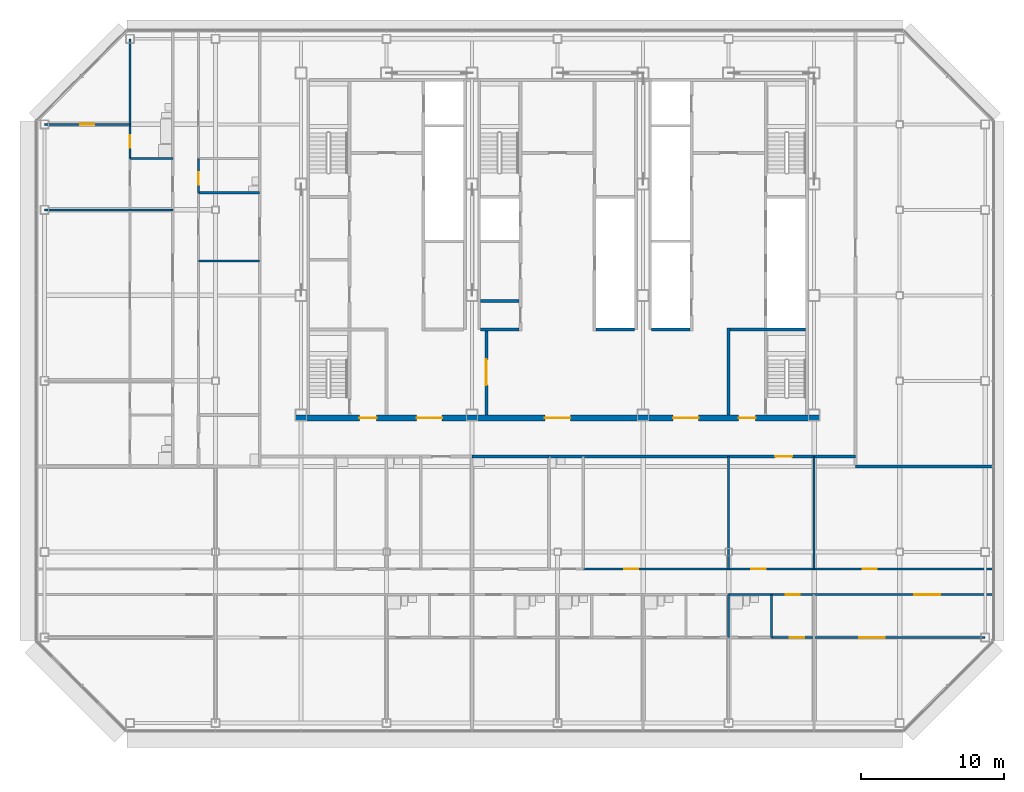
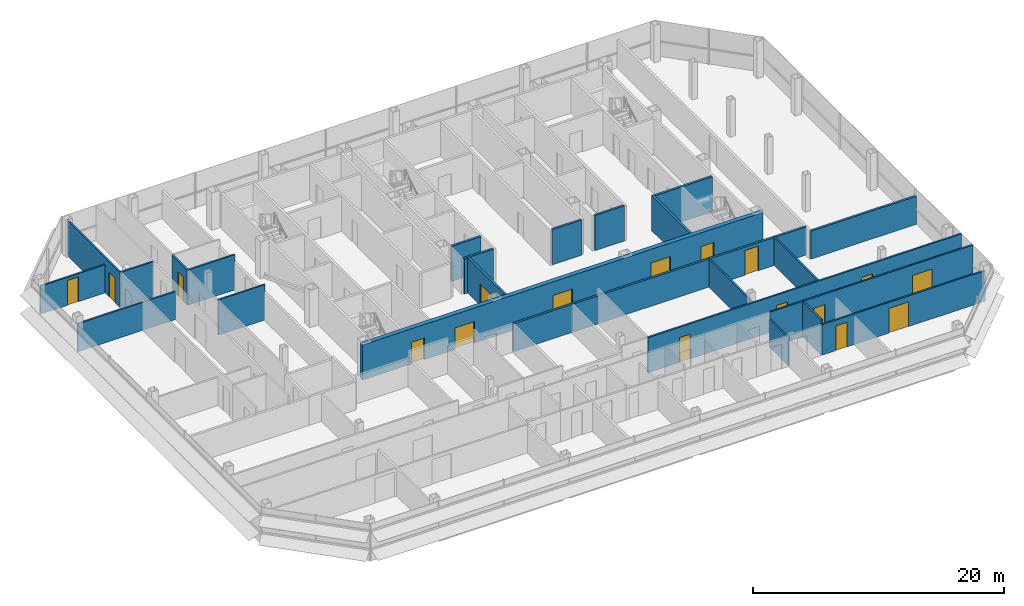
# One storey, part 23 of 28: 26 walls, 17 doors, 17 openings.
"""IFC4 building model written with IfcOpenShell, lengths in metres."""

from ifc_helpers import new_model, si_unit, direction, frame, frame_2d, origin, place, context, subcontext, project, spatial, rectangle, extrude, material, layer, layer_set, type_object, element, fill, save


model = new_model("IFC4")

# Units and contexts
model_context = context("Model", 3, precision=1e-05, world=origin(), true_north=direction((0.0, 1.0)))
body_context = subcontext(model_context, "Body", "Model", "MODEL_VIEW")
ifc_project = project(units=[si_unit("LENGTHUNIT", "METRE"), si_unit("AREAUNIT", "SQUARE_METRE"), si_unit("VOLUMEUNIT", "CUBIC_METRE"), si_unit("PLANEANGLEUNIT", "RADIAN"), si_unit("MASSUNIT", "GRAM", prefix="KILO")], contexts=[model_context])

# Site, building, storey
site_placement = place(None, origin())
site = spatial("IfcSite", under=ifc_project, at=site_placement, CompositionType="ELEMENT")
building_placement = place(site_placement, origin())
building = spatial("IfcBuilding", under=site, at=building_placement, Name="Sorahane Residences", CompositionType="ELEMENT")
storey_placement = place(building_placement, frame((0.0, 0.0, 250.39990234375)))
storey = spatial("IfcBuildingStorey", under=building, at=storey_placement, Name="L59", CompositionType="ELEMENT", Elevation=250.39990234375)

# Wall
ifc_material_1 = material(Name="Concrete blockwork C20 wall", Category="masonry")
ifc_layer_1 = layer(ifc_material_1, 0.199951171875)
ifc_layer_set_1 = layer_set([ifc_layer_1], Name="Corridor wall 200 EI 120")
wall_type_1 = type_object("IfcWallType", Name="Corridor wall 200 EI 120", PredefinedType="SOLIDWALL", material=ifc_layer_set_1)
wall_1_placement = place(storey_placement, frame((44.89990234375, 18.0, 0.0), z_axis=(0.0, 0.0, 1.0), x_axis=(1.0, 0.0, 0.0)))
element("IfcWall", 1, at=wall_1_placement, inside=storey, type_object=wall_type_1, Name="L59 corridor wall", PredefinedType="SOLIDWALL", context=body_context, shape_type="SweptSolid", body=[
    extrude(rectangle(XDim=9.7001953125, YDim=0.199951171875, at=frame_2d((4.85009765625, 0.0))), origin(), (0.0, 0.0, 1.0), 2.72021484375),
])

# Wall, opening, door
wall_2_placement = place(storey_placement, frame((23.39990234375, 18.699951171875, 0.0), z_axis=(0.0, 0.0, 1.0), x_axis=(1.0, 0.0, 0.0)))
wall_2 = element("IfcWall", 2, at=wall_2_placement, inside=storey, type_object=wall_type_1, Name="L59 corridor wall", PredefinedType="SOLIDWALL", context=body_context, shape_type="SweptSolid", body=[
    extrude(rectangle(XDim=21.5, YDim=0.199951171875, at=frame_2d((10.75, 0.0))), origin(), (0.0, 0.0, 1.0), 2.72021484375),
])
opening_1_placement = place(wall_2_placement, frame((15.860107421875, 0.0, 0.0)))
opening_1 = element("IfcOpeningElement", 3, at=opening_1_placement, cuts=wall_2, Name="Opening L59-47", PredefinedType="OPENING", context=body_context, shape_type="SweptSolid", body=[
    extrude(rectangle(XDim=1.199951171875, YDim=2.39990234375, at=frame_2d((0.60009765625, 1.199951171875))), frame((0.0, 0.10986328125, 0.0), z_axis=(0.0, -1.0, 0.0), x_axis=(1.0, 0.0, 0.0)), (0.0, 0.0, 1.0), 0.219970703125),
])
ifc_material_2 = material(Name="Timber veneered fire door", Category="wood")
door_type_1 = type_object("IfcDoorType", Name="Flat entrance door 1200x2400 FD60", OperationType="NOTDEFINED", PredefinedType="DOOR", material=ifc_material_2)
door_1_placement = place(opening_1_placement, frame((1.199951171875, 0.0, 0.0), z_axis=(0.0, 0.0, 1.0), x_axis=(-1.0, 0.0, 0.0)))
door_1 = element("IfcDoor", 4, at=door_1_placement, inside=storey, type_object=door_type_1, Name="Flat entrance door L59-47", OperationType="SINGLE_SWING_RIGHT", OverallHeight=2.39990234375, OverallWidth=1.199951171875, PredefinedType="DOOR", context=body_context, shape_type="SweptSolid", body=[
    extrude(rectangle(XDim=1.199951171875, YDim=2.39990234375, at=frame_2d((0.60009765625, 1.199951171875))), frame((0.0, 0.02490234375, 0.0), z_axis=(0.0, -1.0, 0.0), x_axis=(1.0, 0.0, 0.0)), (0.0, 0.0, 1.0), 0.050048828125),
])
fill(opening_1, door_1)

# Walls
ifc_material_3 = material(Name="Concrete C30", Category="concrete")
ifc_layer_2 = layer(ifc_material_3, 0.199951171875)
ifc_layer_set_2 = layer_set([ifc_layer_2], Name="Front room wall 200 EI 120")
wall_type_2 = type_object("IfcWallType", Name="Front room wall 200 EI 120", PredefinedType="PARTITIONING", material=ifc_layer_set_2)
wall_3_placement = place(storey_placement, frame((36.0, 21.60009765625, 0.0), z_axis=(0.0, 0.0, 1.0), x_axis=(0.0, 1.0, 0.0)))
element("IfcWall", 5, at=wall_3_placement, inside=storey, type_object=wall_type_2, Name="L59 front room wall", PredefinedType="PARTITIONING", context=body_context, shape_type="SweptSolid", body=[
    extrude(rectangle(XDim=6.099853515625, YDim=0.199951171875, at=frame_2d((3.0498046875, 0.0))), origin(), (0.0, 0.0, 1.0), 3.420166015625),
])
ifc_material_4 = material(Name="Concrete blockwork C20 wall", Category="masonry")
ifc_layer_3 = layer(ifc_material_4, 0.199951171875)
ifc_layer_set_3 = layer_set([ifc_layer_3], Name="Kitchen wall 200 EI 180")
wall_type_3 = type_object("IfcWallType", Name="Kitchen wall 200 EI 180", PredefinedType="SOLIDWALL", material=ifc_layer_set_3)
wall_4_placement = place(storey_placement, frame((18.0, 18.699951171875, 0.0), z_axis=(0.0, 0.0, 1.0), x_axis=(1.0, 0.0, 0.0)))
element("IfcWall", 6, at=wall_4_placement, inside=storey, type_object=wall_type_3, Name="L59 kitchen wall", PredefinedType="SOLIDWALL", context=body_context, shape_type="SweptSolid", body=[
    extrude(rectangle(XDim=5.39990234375, YDim=0.199951171875, at=frame_2d((2.699951171875, 0.0))), origin(), (0.0, 0.0, 1.0), 2.72021484375),
])
ifc_material_5 = material(Name="Concrete C30", Category="concrete")
ifc_layer_4 = layer(ifc_material_5, 0.199951171875)
ifc_layer_set_4 = layer_set([ifc_layer_4], Name="Lift shaft wall 200 EI 120")
wall_type_4 = type_object("IfcWallType", Name="Lift shaft wall 200 EI 120", PredefinedType="SOLIDWALL", material=ifc_layer_set_4)
wall_5_placement = place(storey_placement, frame((30.60009765625, 27.60009765625, 0.0), z_axis=(0.0, 0.0, 1.0), x_axis=(1.0, 0.0, 0.0)))
element("IfcWall", 7, at=wall_5_placement, inside=storey, type_object=wall_type_4, Name="L59 lift shaft wall", PredefinedType="SOLIDWALL", context=body_context, shape_type="SweptSolid", body=[
    extrude(rectangle(XDim=2.699951171875, YDim=0.199951171875, at=frame_2d((1.35009765625, 0.0))), origin(), (0.0, 0.0, 1.0), 3.420166015625),
])
ifc_material_6 = material(Name="Gypsum board partition on steel studs", Category="steel")
ifc_layer_5 = layer(ifc_material_6, 0.14990234375)
ifc_layer_set_5 = layer_set([ifc_layer_5], Name="Partition 150 EI 90")
wall_type_5 = type_object("IfcWallType", Name="Partition 150 EI 90", PredefinedType="PARTITIONING", material=ifc_layer_set_5)
for number, where, z_axis, x_axis, name in (
    (8, (36.0, 10.800048828125, 0.0), (0.0, 0.0, 1.0), (0.0, 1.0, 0.0), "L59 partition"),
    (9, (42.0, 10.800048828125, 0.0), (0.0, 0.0, 1.0), (0.0, 1.0, 0.0), "L59 partition"),
):
    element("IfcWall", number, at=place(storey_placement, frame(where, z_axis=z_axis, x_axis=x_axis)), inside=storey, type_object=wall_type_5, Name=name, PredefinedType="PARTITIONING", context=body_context, shape_type="SweptSolid", body=[
        extrude(rectangle(XDim=7.89990234375, YDim=0.14990234375, at=frame_2d((3.949951171875, 0.0))), origin(), (0.0, 0.0, 1.0), 2.72021484375),
    ])

# Wall, openings, doors
wall_6_placement = place(storey_placement, frame((25.800048828125, 10.800048828125, 0.0), z_axis=(0.0, 0.0, 1.0), x_axis=(1.0, 0.0, 0.0)))
wall_6 = element("IfcWall", 10, at=wall_6_placement, inside=storey, type_object=wall_type_5, Name="L59 partition", PredefinedType="PARTITIONING", context=body_context, shape_type="SweptSolid", body=[
    extrude(rectangle(XDim=28.800048828125, YDim=0.14990234375, at=frame_2d((14.39990234375, 0.0))), origin(), (0.0, 0.0, 1.0), 3.420166015625),
])
opening_2_placement = place(wall_6_placement, frame((11.800048828125, 0.0, 0.0)))
opening_2 = element("IfcOpeningElement", 11, at=opening_2_placement, cuts=wall_6, Name="Opening L59-13", PredefinedType="OPENING", context=body_context, shape_type="SweptSolid", body=[
    extrude(rectangle(XDim=1.0, YDim=2.39990234375, at=frame_2d((0.5, 1.199951171875))), frame((0.0, 0.0849609375, 0.0), z_axis=(0.0, -1.0, 0.0), x_axis=(1.0, 0.0, 0.0)), (0.0, 0.0, 1.0), 0.169921875),
])
opening_3_placement = place(wall_6_placement, frame((2.860107421875, 0.0, 0.0)))
opening_3 = element("IfcOpeningElement", 12, at=opening_3_placement, cuts=wall_6, Name="Opening L59-16", PredefinedType="OPENING", context=body_context, shape_type="SweptSolid", body=[
    extrude(rectangle(XDim=1.0, YDim=2.39990234375, at=frame_2d((0.5, 1.199951171875))), frame((0.0, 0.0849609375, 0.0), z_axis=(0.0, -1.0, 0.0), x_axis=(1.0, 0.0, 0.0)), (0.0, 0.0, 1.0), 0.169921875),
])
opening_4_placement = place(wall_6_placement, frame((19.60009765625, 0.0, 0.0)))
opening_4 = element("IfcOpeningElement", 13, at=opening_4_placement, cuts=wall_6, Name="Opening L59-17", PredefinedType="OPENING", context=body_context, shape_type="SweptSolid", body=[
    extrude(rectangle(XDim=1.0, YDim=2.39990234375, at=frame_2d((0.5, 1.199951171875))), frame((0.0, 0.0849609375, 0.0), z_axis=(0.0, -1.0, 0.0), x_axis=(1.0, 0.0, 0.0)), (0.0, 0.0, 1.0), 0.169921875),
])
ifc_material_7 = material(Name="Timber veneered fire door", Category="wood")
door_type_2 = type_object("IfcDoorType", Name="Room door 1000x2400 FD30", OperationType="NOTDEFINED", PredefinedType="DOOR", material=ifc_material_7)
door_2_placement = place(opening_2_placement, frame((1.0, 0.0, 0.0), z_axis=(0.0, 0.0, 1.0), x_axis=(-1.0, 0.0, 0.0)))
door_2 = element("IfcDoor", 14, at=door_2_placement, inside=storey, type_object=door_type_2, Name="Room door L59-13", OperationType="SINGLE_SWING_LEFT", OverallHeight=2.39990234375, OverallWidth=1.0, PredefinedType="DOOR", context=body_context, shape_type="SweptSolid", body=[
    extrude(rectangle(XDim=1.0, YDim=2.39990234375, at=frame_2d((0.5, 1.199951171875))), frame((0.0, 0.02490234375, 0.0), z_axis=(0.0, -1.0, 0.0), x_axis=(1.0, 0.0, 0.0)), (0.0, 0.0, 1.0), 0.050048828125),
])
fill(opening_2, door_2)
door_3_placement = place(opening_3_placement, origin())
door_3 = element("IfcDoor", 15, at=door_3_placement, inside=storey, type_object=door_type_2, Name="Room door L59-16", OperationType="SINGLE_SWING_LEFT", OverallHeight=2.39990234375, OverallWidth=1.0, PredefinedType="DOOR", context=body_context, shape_type="SweptSolid", body=[
    extrude(rectangle(XDim=1.0, YDim=2.39990234375, at=frame_2d((0.5, 1.199951171875))), frame((0.0, 0.02490234375, 0.0), z_axis=(0.0, -1.0, 0.0), x_axis=(1.0, 0.0, 0.0)), (0.0, 0.0, 1.0), 0.050048828125),
])
fill(opening_3, door_3)
door_4_placement = place(opening_4_placement, origin())
door_4 = element("IfcDoor", 16, at=door_4_placement, inside=storey, type_object=door_type_2, Name="Room door L59-17", OperationType="SINGLE_SWING_LEFT", OverallHeight=2.39990234375, OverallWidth=1.0, PredefinedType="DOOR", context=body_context, shape_type="SweptSolid", body=[
    extrude(rectangle(XDim=1.0, YDim=2.39990234375, at=frame_2d((0.5, 1.199951171875))), frame((0.0, 0.02490234375, 0.0), z_axis=(0.0, -1.0, 0.0), x_axis=(1.0, 0.0, 0.0)), (0.0, 0.0, 1.0), 0.050048828125),
])
fill(opening_4, door_4)

# Walls
wall_7_placement = place(storey_placement, frame((-1.199951171875, 32.39990234375, 0.0), z_axis=(0.0, 0.0, 1.0), x_axis=(1.0, 0.0, 0.0)))
element("IfcWall", 17, at=wall_7_placement, inside=storey, type_object=wall_type_5, Name="L59 partition", PredefinedType="PARTITIONING", context=body_context, shape_type="SweptSolid", body=[
    extrude(rectangle(XDim=4.300048828125, YDim=0.14990234375, at=frame_2d((2.14990234375, 0.0))), origin(), (0.0, 0.0, 1.0), 3.420166015625),
])
wall_8_placement = place(storey_placement, frame((-12.0, 36.0, 0.0), z_axis=(0.0, 0.0, 1.0), x_axis=(1.0, 0.0, 0.0)))
element("IfcWall", 18, at=wall_8_placement, inside=storey, type_object=wall_type_5, Name="L59 partition", PredefinedType="PARTITIONING", context=body_context, shape_type="SweptSolid", body=[
    extrude(rectangle(XDim=9.0, YDim=0.14990234375, at=frame_2d((4.5, 0.0))), origin(), (0.0, 0.0, 1.0), 2.72021484375),
])

# Wall, opening, door
wall_9_placement = place(storey_placement, frame((-12.0, 42.0, 0.0), z_axis=(0.0, 0.0, 1.0), x_axis=(1.0, 0.0, 0.0)))
wall_9 = element("IfcWall", 19, at=wall_9_placement, inside=storey, type_object=wall_type_5, Name="L59 partition", PredefinedType="PARTITIONING", context=body_context, shape_type="SweptSolid", body=[
    extrude(rectangle(XDim=6.0, YDim=0.14990234375, at=frame_2d((3.0, 0.0))), origin(), (0.0, 0.0, 1.0), 2.72021484375),
])
opening_5_placement = place(wall_9_placement, frame((2.5, 0.0, 0.0)))
opening_5 = element("IfcOpeningElement", 20, at=opening_5_placement, cuts=wall_9, Name="Opening L59-44", PredefinedType="OPENING", context=body_context, shape_type="SweptSolid", body=[
    extrude(rectangle(XDim=1.0, YDim=2.39990234375, at=frame_2d((0.5, 1.199951171875))), frame((0.0, 0.0849609375, 0.0), z_axis=(0.0, -1.0, 0.0), x_axis=(1.0, 0.0, 0.0)), (0.0, 0.0, 1.0), 0.169921875),
])
door_5_placement = place(opening_5_placement, origin())
door_5 = element("IfcDoor", 21, at=door_5_placement, inside=storey, type_object=door_type_2, Name="Room door L59-44", OperationType="SINGLE_SWING_LEFT", OverallHeight=2.39990234375, OverallWidth=1.0, PredefinedType="DOOR", context=body_context, shape_type="SweptSolid", body=[
    extrude(rectangle(XDim=1.0, YDim=2.39990234375, at=frame_2d((0.5, 1.199951171875))), frame((0.0, 0.02490234375, 0.0), z_axis=(0.0, -1.0, 0.0), x_axis=(1.0, 0.0, 0.0)), (0.0, 0.0, 1.0), 0.050048828125),
])
fill(opening_5, door_5)

# Wall, openings, doors
wall_10_placement = place(storey_placement, frame((39.0, 6.0, 0.0), z_axis=(0.0, 0.0, 1.0), x_axis=(1.0, 0.0, 0.0)))
wall_10 = element("IfcWall", 22, at=wall_10_placement, inside=storey, type_object=wall_type_5, Name="L59 partition", PredefinedType="PARTITIONING", context=body_context, shape_type="SweptSolid", body=[
    extrude(rectangle(XDim=15.0, YDim=0.14990234375, at=frame_2d((7.5, 0.0))), origin(), (0.0, 0.0, 1.0), 2.97021484375),
])
opening_6_placement = place(wall_10_placement, frame((1.300048828125, 0.0, 0.0)))
opening_6 = element("IfcOpeningElement", 23, at=opening_6_placement, cuts=wall_10, Name="Opening L59-29", PredefinedType="OPENING", context=body_context, shape_type="SweptSolid", body=[
    extrude(rectangle(XDim=1.0, YDim=2.39990234375, at=frame_2d((0.5, 1.199951171875))), frame((0.0, 0.0849609375, 0.0), z_axis=(0.0, -1.0, 0.0), x_axis=(1.0, 0.0, 0.0)), (0.0, 0.0, 1.0), 0.169921875),
])
opening_7_placement = place(wall_10_placement, frame((6.159912109375, 0.0, 0.0)))
opening_7 = element("IfcOpeningElement", 24, at=opening_7_placement, cuts=wall_10, Name="Opening L59-31", PredefinedType="OPENING", context=body_context, shape_type="SweptSolid", body=[
    extrude(rectangle(XDim=1.800048828125, YDim=2.39990234375, at=frame_2d((0.89990234375, 1.199951171875))), frame((0.0, 0.0849609375, 0.0), z_axis=(0.0, -1.0, 0.0), x_axis=(1.0, 0.0, 0.0)), (0.0, 0.0, 1.0), 0.169921875),
])
ifc_material_8 = material(Name="Timber veneered fire door", Category="wood")
door_type_3 = type_object("IfcDoorType", Name="Double door 1800x2400 FD30", OperationType="NOTDEFINED", PredefinedType="DOOR", material=ifc_material_8)
door_6_placement = place(opening_7_placement, frame((1.800048828125, 0.0, 0.0), z_axis=(0.0, 0.0, 1.0), x_axis=(-1.0, 0.0, 0.0)))
door_6 = element("IfcDoor", 25, at=door_6_placement, inside=storey, type_object=door_type_3, Name="Double door L59-31", OperationType="SINGLE_SWING_RIGHT", OverallHeight=2.39990234375, OverallWidth=1.800048828125, PredefinedType="DOOR", context=body_context, shape_type="SweptSolid", body=[
    extrude(rectangle(XDim=1.800048828125, YDim=2.39990234375, at=frame_2d((0.89990234375, 1.199951171875))), frame((0.0, 0.02490234375, 0.0), z_axis=(0.0, -1.0, 0.0), x_axis=(1.0, 0.0, 0.0)), (0.0, 0.0, 1.0), 0.050048828125),
])
fill(opening_7, door_6)
door_7_placement = place(opening_6_placement, frame((1.0, 0.0, 0.0), z_axis=(0.0, 0.0, 1.0), x_axis=(-1.0, 0.0, 0.0)))
door_7 = element("IfcDoor", 26, at=door_7_placement, inside=storey, type_object=door_type_2, Name="Room door L59-29", OperationType="SINGLE_SWING_RIGHT", OverallHeight=2.39990234375, OverallWidth=1.0, PredefinedType="DOOR", context=body_context, shape_type="SweptSolid", body=[
    extrude(rectangle(XDim=1.0, YDim=2.39990234375, at=frame_2d((0.5, 1.199951171875))), frame((0.0, 0.02490234375, 0.0), z_axis=(0.0, -1.0, 0.0), x_axis=(1.0, 0.0, 0.0)), (0.0, 0.0, 1.0), 0.050048828125),
])
fill(opening_6, door_7)

wall_11_placement = place(storey_placement, frame((39.0, 9.0, 0.0), z_axis=(0.0, 0.0, 1.0), x_axis=(1.0, 0.0, 0.0)))
wall_11 = element("IfcWall", 27, at=wall_11_placement, inside=storey, type_object=wall_type_5, Name="L59 partition", PredefinedType="PARTITIONING", context=body_context, shape_type="SweptSolid", body=[
    extrude(rectangle(XDim=15.60009765625, YDim=0.14990234375, at=frame_2d((7.800048828125, 0.0))), origin(), (0.0, 0.0, 1.0), 3.420166015625),
])
opening_8_placement = place(wall_11_placement, frame((1.0, 0.0, 0.0)))
opening_8 = element("IfcOpeningElement", 28, at=opening_8_placement, cuts=wall_11, Name="Opening L59-21", PredefinedType="OPENING", context=body_context, shape_type="SweptSolid", body=[
    extrude(rectangle(XDim=1.0, YDim=2.39990234375, at=frame_2d((0.5, 1.199951171875))), frame((0.0, 0.0849609375, 0.0), z_axis=(0.0, -1.0, 0.0), x_axis=(1.0, 0.0, 0.0)), (0.0, 0.0, 1.0), 0.169921875),
])
opening_9_placement = place(wall_11_placement, frame((10.0400390625, 0.0, 0.0)))
opening_9 = element("IfcOpeningElement", 29, at=opening_9_placement, cuts=wall_11, Name="Opening L59-22", PredefinedType="OPENING", context=body_context, shape_type="SweptSolid", body=[
    extrude(rectangle(XDim=1.800048828125, YDim=2.39990234375, at=frame_2d((0.89990234375, 1.199951171875))), frame((0.0, 0.0849609375, 0.0), z_axis=(0.0, -1.0, 0.0), x_axis=(1.0, 0.0, 0.0)), (0.0, 0.0, 1.0), 0.169921875),
])
door_8_placement = place(opening_9_placement, frame((1.800048828125, 0.0, 0.0), z_axis=(0.0, 0.0, 1.0), x_axis=(-1.0, 0.0, 0.0)))
door_8 = element("IfcDoor", 30, at=door_8_placement, inside=storey, type_object=door_type_3, Name="Double door L59-22", OperationType="SINGLE_SWING_LEFT", OverallHeight=2.39990234375, OverallWidth=1.800048828125, PredefinedType="DOOR", context=body_context, shape_type="SweptSolid", body=[
    extrude(rectangle(XDim=1.800048828125, YDim=2.39990234375, at=frame_2d((0.89990234375, 1.199951171875))), frame((0.0, 0.02490234375, 0.0), z_axis=(0.0, -1.0, 0.0), x_axis=(1.0, 0.0, 0.0)), (0.0, 0.0, 1.0), 0.050048828125),
])
fill(opening_9, door_8)
door_9_placement = place(opening_8_placement, frame((1.0, 0.0, 0.0), z_axis=(0.0, 0.0, 1.0), x_axis=(-1.0, 0.0, 0.0)))
door_9 = element("IfcDoor", 31, at=door_9_placement, inside=storey, type_object=door_type_2, Name="Room door L59-21", OperationType="SINGLE_SWING_LEFT", OverallHeight=2.39990234375, OverallWidth=1.0, PredefinedType="DOOR", context=body_context, shape_type="SweptSolid", body=[
    extrude(rectangle(XDim=1.0, YDim=2.39990234375, at=frame_2d((0.5, 1.199951171875))), frame((0.0, 0.02490234375, 0.0), z_axis=(0.0, -1.0, 0.0), x_axis=(1.0, 0.0, 0.0)), (0.0, 0.0, 1.0), 0.050048828125),
])
fill(opening_8, door_9)

# Wall
ifc_material_9 = material(Name="Concrete C30", Category="concrete")
ifc_layer_6 = layer(ifc_material_9, 0.199951171875)
ifc_layer_set_6 = layer_set([ifc_layer_6], Name="Riser shaft wall 200 EI 120")
wall_type_6 = type_object("IfcWallType", Name="Riser shaft wall 200 EI 120", PredefinedType="SOLIDWALL", material=ifc_layer_set_6)
wall_12_placement = place(storey_placement, frame((26.699951171875, 27.60009765625, 0.0), z_axis=(0.0, 0.0, 1.0), x_axis=(1.0, 0.0, 0.0)))
element("IfcWall", 32, at=wall_12_placement, inside=storey, type_object=wall_type_6, Name="L59 riser wall", PredefinedType="SOLIDWALL", context=body_context, shape_type="SweptSolid", body=[
    extrude(rectangle(XDim=2.699951171875, YDim=0.199951171875, at=frame_2d((1.35009765625, 0.0))), origin(), (0.0, 0.0, 1.0), 3.420166015625),
])

# Wall, opening, door
ifc_material_10 = material(Name="Concrete C30", Category="concrete")
ifc_layer_7 = layer(ifc_material_10, 0.199951171875)
ifc_layer_set_7 = layer_set([ifc_layer_7], Name="Service room partition 200 EI 60")
wall_type_7 = type_object("IfcWallType", Name="Service room partition 200 EI 60", PredefinedType="PARTITIONING", material=ifc_layer_set_7)
wall_13_placement = place(storey_placement, frame((19.0, 21.60009765625, 0.0), z_axis=(0.0, 0.0, 1.0), x_axis=(0.0, 1.0, 0.0)))
wall_13 = element("IfcWall", 33, at=wall_13_placement, inside=storey, type_object=wall_type_7, Name="L59 service room wall", PredefinedType="PARTITIONING", context=body_context, shape_type="SweptSolid", body=[
    extrude(rectangle(XDim=6.0, YDim=0.199951171875, at=frame_2d((3.0, 0.0))), origin(), (0.0, 0.0, 1.0), 3.420166015625),
])
opening_10_placement = place(wall_13_placement, frame((2.10009765625, 0.0, 0.0)))
opening_10 = element("IfcOpeningElement", 34, at=opening_10_placement, cuts=wall_13, Name="Opening L59-C02", PredefinedType="OPENING", context=body_context, shape_type="SweptSolid", body=[
    extrude(rectangle(XDim=1.800048828125, YDim=2.10009765625, at=frame_2d((0.89990234375, 1.050048828125))), frame((0.0, 0.10986328125, 0.0), z_axis=(0.0, -1.0, 0.0), x_axis=(1.0, 0.0, 0.0)), (0.0, 0.0, 1.0), 0.219970703125),
])
ifc_material_11 = material(Name="Steel", Category="steel")
door_type_4 = type_object("IfcDoorType", Name="Waiting hall door 1800x2100 FD60", OperationType="NOTDEFINED", PredefinedType="DOOR", material=ifc_material_11)
door_10_placement = place(opening_10_placement, origin())
door_10 = element("IfcDoor", 35, at=door_10_placement, inside=storey, type_object=door_type_4, Name="Waiting hall door Residents' waiting hall west L59", OperationType="SINGLE_SWING_LEFT", OverallHeight=2.10009765625, OverallWidth=1.800048828125, PredefinedType="DOOR", context=body_context, shape_type="SweptSolid", body=[
    extrude(rectangle(XDim=1.800048828125, YDim=2.10009765625, at=frame_2d((0.89990234375, 1.050048828125))), frame((0.0, 0.02490234375, 0.0), z_axis=(0.0, -1.0, 0.0), x_axis=(1.0, 0.0, 0.0)), (0.0, 0.0, 1.0), 0.050048828125),
])
fill(opening_10, door_10)

# Walls
for number, where, z_axis, x_axis, name in (
    (36, (18.60009765625, 27.60009765625, 0.0), (0.0, 0.0, 1.0), (1.0, 0.0, 0.0), "L59 service room wall"),
    (37, (18.60009765625, 29.60009765625, 0.0), (0.0, 0.0, 1.0), (1.0, 0.0, 0.0), "L59 service room wall"),
):
    element("IfcWall", number, at=place(storey_placement, frame(where, z_axis=z_axis, x_axis=x_axis)), inside=storey, type_object=wall_type_7, Name=name, PredefinedType="PARTITIONING", context=body_context, shape_type="SweptSolid", body=[
        extrude(rectangle(XDim=2.699951171875, YDim=0.199951171875, at=frame_2d((1.35009765625, 0.0))), origin(), (0.0, 0.0, 1.0), 3.420166015625),
    ])
ifc_material_12 = material(Name="Concrete C30", Category="concrete")
ifc_layer_8 = layer(ifc_material_12, 0.199951171875)
ifc_layer_set_8 = layer_set([ifc_layer_8], Name="Stair enclosure wall 200 EI 120")
wall_type_8 = type_object("IfcWallType", Name="Stair enclosure wall 200 EI 120", PredefinedType="SOLIDWALL", material=ifc_layer_set_8)
wall_14_placement = place(storey_placement, frame((36.10009765625, 27.60009765625, 0.0), z_axis=(0.0, 0.0, 1.0), x_axis=(1.0, 0.0, 0.0)))
element("IfcWall", 38, at=wall_14_placement, inside=storey, type_object=wall_type_8, Name="L59 stair enclosure wall", PredefinedType="SOLIDWALL", context=body_context, shape_type="SweptSolid", body=[
    extrude(rectangle(XDim=5.2998046875, YDim=0.199951171875, at=frame_2d((2.64990234375, 0.0))), origin(), (0.0, 0.0, 1.0), 3.420166015625),
])

# Wall, openings, doors
ifc_material_13 = material(Name="Concrete C30", Category="concrete")
ifc_layer_9 = layer(ifc_material_13, 0.39990234375)
ifc_layer_set_9 = layer_set([ifc_layer_9], Name="Waiting hall wall 400 EI 120")
wall_type_9 = type_object("IfcWallType", Name="Waiting hall wall 400 EI 120", PredefinedType="SOLIDWALL", material=ifc_layer_set_9)
wall_15_placement = place(storey_placement, frame((5.60009765625, 21.39990234375, 0.0), z_axis=(0.0, 0.0, 1.0), x_axis=(1.0, 0.0, 0.0)))
wall_15 = element("IfcWall", 39, at=wall_15_placement, inside=storey, type_object=wall_type_9, Name="L59 waiting hall wall", PredefinedType="SOLIDWALL", context=body_context, shape_type="SweptSolid", body=[
    extrude(rectangle(XDim=36.7998046875, YDim=0.39990234375, at=frame_2d((18.39990234375, 0.0))), origin(), (0.0, 0.0, 1.0), 3.420166015625),
])
opening_11_placement = place(wall_15_placement, frame((8.5, 0.0, 0.0)))
opening_11 = element("IfcOpeningElement", 40, at=opening_11_placement, cuts=wall_15, Name="Opening L59-C01", PredefinedType="OPENING", context=body_context, shape_type="SweptSolid", body=[
    extrude(rectangle(XDim=1.800048828125, YDim=2.10009765625, at=frame_2d((0.89990234375, 1.050048828125))), frame((0.0, 0.2099609375, 0.0), z_axis=(0.0, -1.0, 0.0), x_axis=(1.0, 0.0, 0.0)), (0.0, 0.0, 1.0), 0.419921875),
])
opening_12_placement = place(wall_15_placement, frame((17.5, 0.0, 0.0)))
opening_12 = element("IfcOpeningElement", 41, at=opening_12_placement, cuts=wall_15, Name="Opening L59-C03", PredefinedType="OPENING", context=body_context, shape_type="SweptSolid", body=[
    extrude(rectangle(XDim=1.800048828125, YDim=2.10009765625, at=frame_2d((0.89990234375, 1.050048828125))), frame((0.0, 0.2099609375, 0.0), z_axis=(0.0, -1.0, 0.0), x_axis=(1.0, 0.0, 0.0)), (0.0, 0.0, 1.0), 0.419921875),
])
opening_13_placement = place(wall_15_placement, frame((26.5, 0.0, 0.0)))
opening_13 = element("IfcOpeningElement", 42, at=opening_13_placement, cuts=wall_15, Name="Opening L59-C04", PredefinedType="OPENING", context=body_context, shape_type="SweptSolid", body=[
    extrude(rectangle(XDim=1.800048828125, YDim=2.10009765625, at=frame_2d((0.89990234375, 1.050048828125))), frame((0.0, 0.2099609375, 0.0), z_axis=(0.0, -1.0, 0.0), x_axis=(1.0, 0.0, 0.0)), (0.0, 0.0, 1.0), 0.419921875),
])
opening_14_placement = place(wall_15_placement, frame((4.5, 0.0, 0.0)))
opening_14 = element("IfcOpeningElement", 43, at=opening_14_placement, cuts=wall_15, Name="Opening L59-C05", PredefinedType="OPENING", context=body_context, shape_type="SweptSolid", body=[
    extrude(rectangle(XDim=1.199951171875, YDim=2.10009765625, at=frame_2d((0.60009765625, 1.050048828125))), frame((0.0, 0.2099609375, 0.0), z_axis=(0.0, -1.0, 0.0), x_axis=(1.0, 0.0, 0.0)), (0.0, 0.0, 1.0), 0.419921875),
])
opening_15_placement = place(wall_15_placement, frame((31.10009765625, 0.0, 0.0)))
opening_15 = element("IfcOpeningElement", 44, at=opening_15_placement, cuts=wall_15, Name="Opening L59-C06", PredefinedType="OPENING", context=body_context, shape_type="SweptSolid", body=[
    extrude(rectangle(XDim=1.199951171875, YDim=2.10009765625, at=frame_2d((0.60009765625, 1.050048828125))), frame((0.0, 0.2099609375, 0.0), z_axis=(0.0, -1.0, 0.0), x_axis=(1.0, 0.0, 0.0)), (0.0, 0.0, 1.0), 0.419921875),
])
ifc_material_14 = material(Name="Steel", Category="steel")
door_type_5 = type_object("IfcDoorType", Name="Stair front room door 1200x2100 FD120", OperationType="NOTDEFINED", PredefinedType="DOOR", material=ifc_material_14)
door_11_placement = place(opening_14_placement, frame((1.199951171875, 0.0, 0.0), z_axis=(0.0, 0.0, 1.0), x_axis=(-1.0, 0.0, 0.0)))
door_11 = element("IfcDoor", 45, at=door_11_placement, inside=storey, type_object=door_type_5, Name="Stair front room door Stair S4 front room L59", OperationType="SINGLE_SWING_LEFT", OverallHeight=2.10009765625, OverallWidth=1.199951171875, PredefinedType="DOOR", context=body_context, shape_type="SweptSolid", body=[
    extrude(rectangle(XDim=1.199951171875, YDim=2.10009765625, at=frame_2d((0.60009765625, 1.050048828125))), frame((0.0, 0.02490234375, 0.0), z_axis=(0.0, -1.0, 0.0), x_axis=(1.0, 0.0, 0.0)), (0.0, 0.0, 1.0), 0.050048828125),
])
fill(opening_14, door_11)
door_12_placement = place(opening_15_placement, frame((1.199951171875, 0.0, 0.0), z_axis=(0.0, 0.0, 1.0), x_axis=(-1.0, 0.0, 0.0)))
door_12 = element("IfcDoor", 46, at=door_12_placement, inside=storey, type_object=door_type_5, Name="Stair front room door Stair S5 front room L59", OperationType="SINGLE_SWING_LEFT", OverallHeight=2.10009765625, OverallWidth=1.199951171875, PredefinedType="DOOR", context=body_context, shape_type="SweptSolid", body=[
    extrude(rectangle(XDim=1.199951171875, YDim=2.10009765625, at=frame_2d((0.60009765625, 1.050048828125))), frame((0.0, 0.02490234375, 0.0), z_axis=(0.0, -1.0, 0.0), x_axis=(1.0, 0.0, 0.0)), (0.0, 0.0, 1.0), 0.050048828125),
])
fill(opening_15, door_12)
door_13_placement = place(opening_11_placement, frame((1.800048828125, 0.0, 0.0), z_axis=(0.0, 0.0, 1.0), x_axis=(-1.0, 0.0, 0.0)))
door_13 = element("IfcDoor", 47, at=door_13_placement, inside=storey, type_object=door_type_4, Name="Waiting hall door Residents' waiting hall west L59", OperationType="SINGLE_SWING_LEFT", OverallHeight=2.10009765625, OverallWidth=1.800048828125, PredefinedType="DOOR", context=body_context, shape_type="SweptSolid", body=[
    extrude(rectangle(XDim=1.800048828125, YDim=2.10009765625, at=frame_2d((0.89990234375, 1.050048828125))), frame((0.0, 0.02490234375, 0.0), z_axis=(0.0, -1.0, 0.0), x_axis=(1.0, 0.0, 0.0)), (0.0, 0.0, 1.0), 0.050048828125),
])
fill(opening_11, door_13)
door_14_placement = place(opening_12_placement, frame((1.800048828125, 0.0, 0.0), z_axis=(0.0, 0.0, 1.0), x_axis=(-1.0, 0.0, 0.0)))
door_14 = element("IfcDoor", 48, at=door_14_placement, inside=storey, type_object=door_type_4, Name="Waiting hall door Residents' waiting hall east L59", OperationType="SINGLE_SWING_LEFT", OverallHeight=2.10009765625, OverallWidth=1.800048828125, PredefinedType="DOOR", context=body_context, shape_type="SweptSolid", body=[
    extrude(rectangle(XDim=1.800048828125, YDim=2.10009765625, at=frame_2d((0.89990234375, 1.050048828125))), frame((0.0, 0.02490234375, 0.0), z_axis=(0.0, -1.0, 0.0), x_axis=(1.0, 0.0, 0.0)), (0.0, 0.0, 1.0), 0.050048828125),
])
fill(opening_12, door_14)
door_15_placement = place(opening_13_placement, frame((1.800048828125, 0.0, 0.0), z_axis=(0.0, 0.0, 1.0), x_axis=(-1.0, 0.0, 0.0)))
door_15 = element("IfcDoor", 49, at=door_15_placement, inside=storey, type_object=door_type_4, Name="Waiting hall door Residents' waiting hall east L59", OperationType="SINGLE_SWING_LEFT", OverallHeight=2.10009765625, OverallWidth=1.800048828125, PredefinedType="DOOR", context=body_context, shape_type="SweptSolid", body=[
    extrude(rectangle(XDim=1.800048828125, YDim=2.10009765625, at=frame_2d((0.89990234375, 1.050048828125))), frame((0.0, 0.02490234375, 0.0), z_axis=(0.0, -1.0, 0.0), x_axis=(1.0, 0.0, 0.0)), (0.0, 0.0, 1.0), 0.050048828125),
])
fill(opening_13, door_15)

# Wall, opening, door
ifc_material_15 = material(Name="Gypsum board partition on steel studs", Category="steel")
ifc_layer_10 = layer(ifc_material_15, 0.14990234375)
ifc_layer_set_10 = layer_set([ifc_layer_10], Name="Wet wall 150 EI 90")
wall_type_10 = type_object("IfcWallType", Name="Wet wall 150 EI 90", PredefinedType="PARTITIONING", material=ifc_layer_set_10)
wall_16_placement = place(storey_placement, frame((-1.199951171875, 37.199951171875, 0.0), z_axis=(0.0, 0.0, 1.0), x_axis=(0.0, 1.0, 0.0)))
wall_16 = element("IfcWall", 50, at=wall_16_placement, inside=storey, type_object=wall_type_10, Name="L59 wet wall", PredefinedType="PARTITIONING", context=body_context, shape_type="SweptSolid", body=[
    extrude(rectangle(XDim=2.400146484375, YDim=0.14990234375, at=frame_2d((1.2001953125, 0.0))), origin(), (0.0, 0.0, 1.0), 3.420166015625),
])
opening_16_placement = place(wall_16_placement, frame((0.550048828125, 0.0, 0.0)))
opening_16 = element("IfcOpeningElement", 51, at=opening_16_placement, cuts=wall_16, Name="Opening L59-35", PredefinedType="OPENING", context=body_context, shape_type="SweptSolid", body=[
    extrude(rectangle(XDim=0.89990234375, YDim=2.39990234375, at=frame_2d((0.449951171875, 1.199951171875))), frame((0.0, 0.0849609375, 0.0), z_axis=(0.0, -1.0, 0.0), x_axis=(1.0, 0.0, 0.0)), (0.0, 0.0, 1.0), 0.169921875),
])
ifc_material_16 = material(Name="Timber veneered fire door", Category="wood")
door_type_6 = type_object("IfcDoorType", Name="Bathroom door 900x2400 FD30", OperationType="NOTDEFINED", PredefinedType="DOOR", material=ifc_material_16)
door_16_placement = place(opening_16_placement, origin())
door_16 = element("IfcDoor", 52, at=door_16_placement, inside=storey, type_object=door_type_6, Name="Bathroom door L59-35", OperationType="SINGLE_SWING_LEFT", OverallHeight=2.39990234375, OverallWidth=0.89990234375, PredefinedType="DOOR", context=body_context, shape_type="SweptSolid", body=[
    extrude(rectangle(XDim=0.89990234375, YDim=2.39990234375, at=frame_2d((0.449951171875, 1.199951171875))), frame((0.0, 0.02490234375, 0.0), z_axis=(0.0, -1.0, 0.0), x_axis=(1.0, 0.0, 0.0)), (0.0, 0.0, 1.0), 0.050048828125),
])
fill(opening_16, door_16)

wall_17_placement = place(storey_placement, frame((-6.0, 39.60009765625, 0.0), z_axis=(0.0, 0.0, 1.0), x_axis=(0.0, 1.0, 0.0)))
wall_17 = element("IfcWall", 53, at=wall_17_placement, inside=storey, type_object=wall_type_10, Name="L59 wet wall", PredefinedType="PARTITIONING", context=body_context, shape_type="SweptSolid", body=[
    extrude(rectangle(XDim=8.39990234375, YDim=0.14990234375, at=frame_2d((4.199951171875, 0.0))), origin(), (0.0, 0.0, 1.0), 3.420166015625),
])
opening_17_placement = place(wall_17_placement, frame((0.75, 0.0, 0.0)))
opening_17 = element("IfcOpeningElement", 54, at=opening_17_placement, cuts=wall_17, Name="Opening L59-45", PredefinedType="OPENING", context=body_context, shape_type="SweptSolid", body=[
    extrude(rectangle(XDim=0.89990234375, YDim=2.39990234375, at=frame_2d((0.449951171875, 1.199951171875))), frame((0.0, 0.0849609375, 0.0), z_axis=(0.0, -1.0, 0.0), x_axis=(1.0, 0.0, 0.0)), (0.0, 0.0, 1.0), 0.169921875),
])
door_17_placement = place(opening_17_placement, origin())
door_17 = element("IfcDoor", 55, at=door_17_placement, inside=storey, type_object=door_type_6, Name="Bathroom door L59-45", OperationType="SINGLE_SWING_LEFT", OverallHeight=2.39990234375, OverallWidth=0.89990234375, PredefinedType="DOOR", context=body_context, shape_type="SweptSolid", body=[
    extrude(rectangle(XDim=0.89990234375, YDim=2.39990234375, at=frame_2d((0.449951171875, 1.199951171875))), frame((0.0, 0.02490234375, 0.0), z_axis=(0.0, -1.0, 0.0), x_axis=(1.0, 0.0, 0.0)), (0.0, 0.0, 1.0), 0.050048828125),
])
fill(opening_17, door_17)

# Walls
wall_18_placement = place(storey_placement, frame((36.0, 6.0, 0.0), z_axis=(0.0, 0.0, 1.0), x_axis=(0.0, 1.0, 0.0)))
element("IfcWall", 56, at=wall_18_placement, inside=storey, type_object=wall_type_10, Name="L59 wet wall", PredefinedType="PARTITIONING", context=body_context, shape_type="SweptSolid", body=[
    extrude(rectangle(XDim=3.0, YDim=0.14990234375, at=frame_2d((1.5, 0.0))), origin(), (0.0, 0.0, 1.0), 2.72021484375),
])
wall_19_placement = place(storey_placement, frame((39.0, 6.0, 0.0), z_axis=(0.0, 0.0, 1.0), x_axis=(0.0, 1.0, 0.0)))
element("IfcWall", 57, at=wall_19_placement, inside=storey, type_object=wall_type_10, Name="L59 wet wall", PredefinedType="PARTITIONING", context=body_context, shape_type="SweptSolid", body=[
    extrude(rectangle(XDim=3.0, YDim=0.14990234375, at=frame_2d((1.5, 0.0))), origin(), (0.0, 0.0, 1.0), 3.420166015625),
])
wall_20_placement = place(storey_placement, frame((-1.199951171875, 37.199951171875, 0.0), z_axis=(0.0, 0.0, 1.0), x_axis=(1.0, 0.0, 0.0)))
element("IfcWall", 58, at=wall_20_placement, inside=storey, type_object=wall_type_10, Name="L59 wet wall", PredefinedType="PARTITIONING", context=body_context, shape_type="SweptSolid", body=[
    extrude(rectangle(XDim=4.300048828125, YDim=0.14990234375, at=frame_2d((2.14990234375, 0.0))), origin(), (0.0, 0.0, 1.0), 3.420166015625),
])
for number, where, z_axis, x_axis, name in (
    (59, (-6.0, 39.60009765625, 0.0), (0.0, 0.0, 1.0), (1.0, 0.0, 0.0), "L59 wet wall"),
    (60, (36.0, 9.0, 0.0), (0.0, 0.0, 1.0), (1.0, 0.0, 0.0), "L59 wet wall"),
):
    element("IfcWall", number, at=place(storey_placement, frame(where, z_axis=z_axis, x_axis=x_axis)), inside=storey, type_object=wall_type_10, Name=name, PredefinedType="PARTITIONING", context=body_context, shape_type="SweptSolid", body=[
        extrude(rectangle(XDim=3.0, YDim=0.14990234375, at=frame_2d((1.5, 0.0))), origin(), (0.0, 0.0, 1.0), 3.420166015625),
    ])

save(model, "model.ifc")
